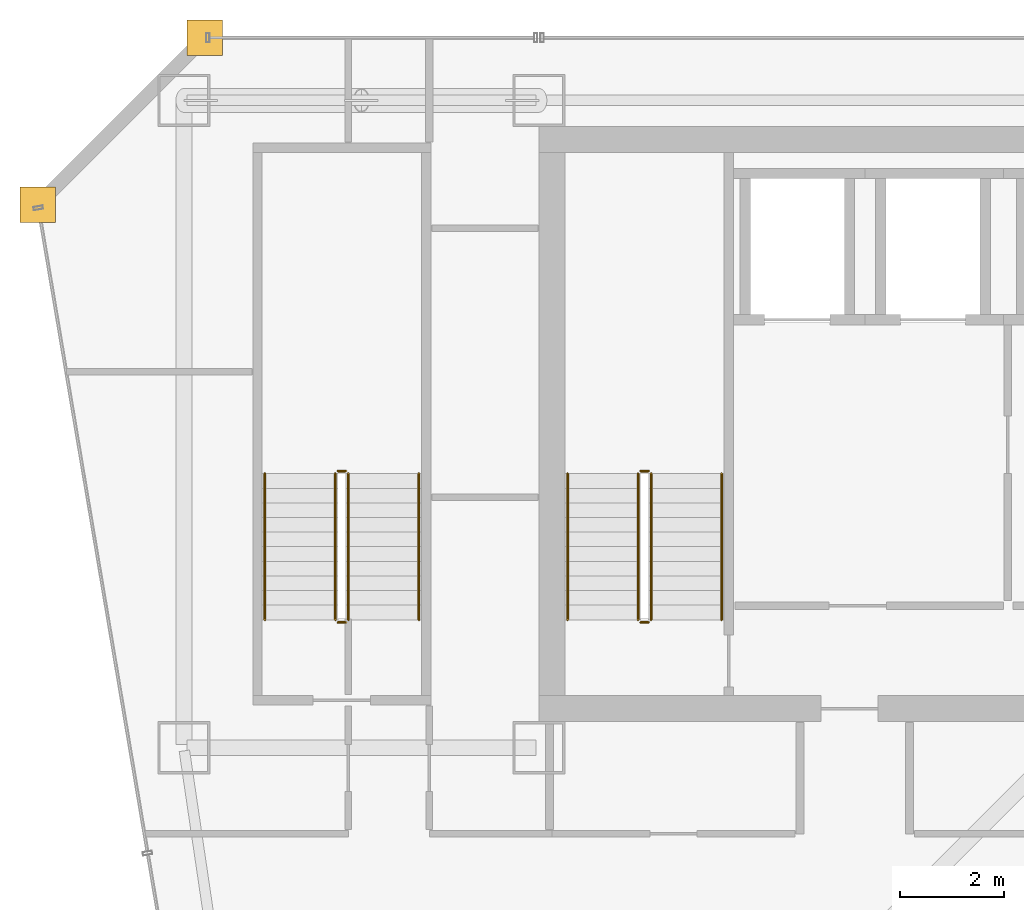
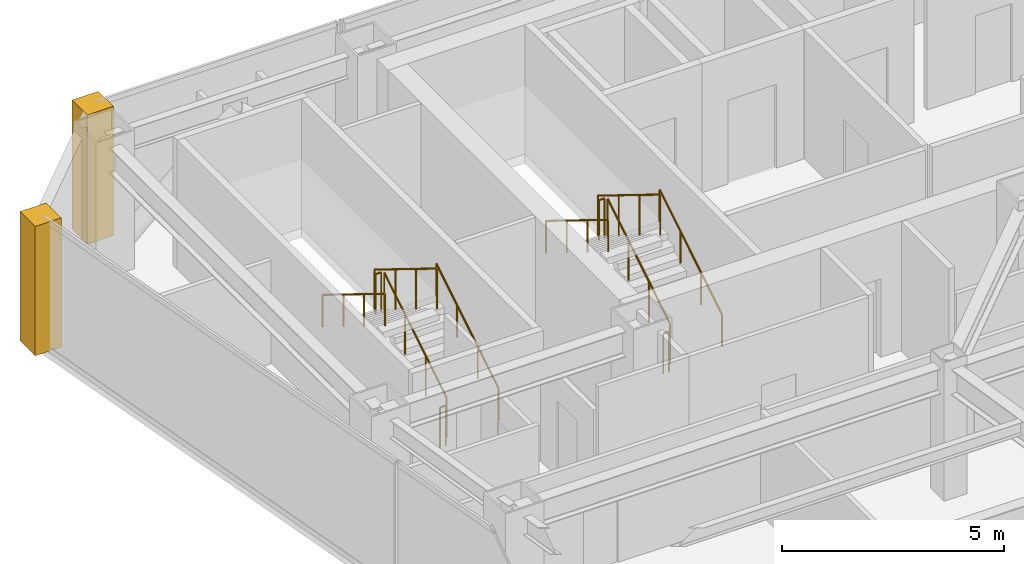
# One storey, part 35 of 36: 12 railings, 2 coverings.
"""IFC4 building model written with IfcOpenShell, lengths in metres."""

from ifc_helpers import new_model, si_unit, direction, frame, origin, origin_2d, place, context, subcontext, project, spatial, polyline, circle, outline, extrude, material, layer, layer_set, type_object, element, save


model = new_model("IFC4")

# Units and contexts
model_context = context("Model", 3, precision=1e-05, world=origin(), true_north=direction((0.0, 1.0)))
body_context = subcontext(model_context, "Body", "Model", "MODEL_VIEW")
ifc_project = project(units=[si_unit("LENGTHUNIT", "METRE"), si_unit("AREAUNIT", "SQUARE_METRE"), si_unit("VOLUMEUNIT", "CUBIC_METRE"), si_unit("PLANEANGLEUNIT", "RADIAN"), si_unit("MASSUNIT", "GRAM", prefix="KILO")], contexts=[model_context])

# Site, building, storey
site_placement = place(None, origin())
site = spatial("IfcSite", under=ifc_project, at=site_placement, CompositionType="ELEMENT")
building_placement = place(site_placement, origin())
building = spatial("IfcBuilding", under=site, at=building_placement, Name="Saevonmaru Cultural Tower", CompositionType="ELEMENT")
storey_placement = place(building_placement, frame((0.0, 0.0, 171.39990234375)))
storey = spatial("IfcBuildingStorey", under=building, at=storey_placement, Name="L38", CompositionType="ELEMENT", Elevation=171.39990234375)

# Coverings
ifc_material_1 = material(Name="Satin Bronze Anodised Aluminium", Category="aluminium")
ifc_layer = layer(ifc_material_1, 0.679931640625, Name="Satin Bronze Anodised Aluminium")
ifc_layer_set = layer_set([ifc_layer], Name="Satin Bronze Anodised Aluminium")
covering_type = type_object("IfcCoveringType", Name="CV-CORNER-CLAD", PredefinedType="CLADDING", material=ifc_layer_set)
covering_1_placement = place(storey_placement, origin())
element("IfcCovering", 1, at=covering_1_placement, inside=storey, type_object=covering_type, Name="L38 Tower Bronze Corner Cladding Pier 11", PredefinedType="CLADDING", context=body_context, shape_type="SweptSolid", body=[
    extrude(outline(polyline([(6.860107421875, 55.659912109375), (7.5400390625, 55.659912109375), (7.5400390625, 56.340087890625), (6.860107421875, 56.340087890625), (6.860107421875, 55.659912109375)])), origin(), (0.0, 0.0, 1.0), 3.550048828125),
])
covering_2_placement = place(storey_placement, origin())
element("IfcCovering", 2, at=covering_2_placement, inside=storey, type_object=covering_type, Name="L38 Tower Bronze Corner Cladding Pier 12", PredefinedType="CLADDING", context=body_context, shape_type="SweptSolid", body=[
    extrude(outline(polyline([(3.659912109375, 52.4599609375), (4.340087890625, 52.4599609375), (4.340087890625, 53.139892578125), (3.659912109375, 53.139892578125), (3.659912109375, 52.4599609375)])), origin(), (0.0, 0.0, 1.0), 3.550048828125),
])

# Railings
ifc_material_2 = material(Name="Architectural Painted Steel", Category="steel")
railing_type_1 = type_object("IfcRailingType", Name="RL-STAIR-GUARD", PredefinedType="GUARDRAIL", material=ifc_material_2)
railing_1_placement = place(storey_placement, frame((15.75, 44.85009765625, 0.1728515625)))
element("IfcRailing", 3, at=railing_1_placement, inside=storey, type_object=railing_type_1, Name="L38 ST-1 stair guard 1", PredefinedType="GUARDRAIL", context=body_context, shape_type="SweptSolid", body=[
    extrude(circle(Radius=0.02392578125, at=origin_2d()), frame((0.0, 0.0, 1.09619140625), z_axis=(0.0, 0.851069175582, 0.525053576669), x_axis=(-1.0, 0.0, 0.0)), (0.0, 0.0, 1.0), 3.289794921875),
    extrude(circle(Radius=0.02099609375, at=origin_2d()), origin(), (0.0, 0.0, 1.0), 1.072021484375),
    extrude(circle(Radius=0.02099609375, at=origin_2d()), frame((0.0, 0.933349609375, 0.57568359375)), (0.0, 0.0, 1.0), 1.072021484375),
    extrude(circle(Radius=0.02099609375, at=origin_2d()), frame((0.0, 1.866455078125, 1.151611328125)), (0.0, 0.0, 1.0), 1.072021484375),
    extrude(circle(Radius=0.02099609375, at=origin_2d()), frame((0.0, 2.7998046875, 1.727294921875)), (0.0, 0.0, 1.0), 1.072021484375),
])
railing_2_placement = place(storey_placement, frame((15.699951171875, 47.699951171875, 1.900146484375)))
element("IfcRailing", 4, at=railing_2_placement, inside=storey, type_object=railing_type_1, Name="L38 ST-1 stair guard 2", PredefinedType="GUARDRAIL", context=body_context, shape_type="SweptSolid", body=[
    extrude(circle(Radius=0.02392578125, at=origin_2d()), frame((0.0, 0.0, 1.09619140625), z_axis=(-1.0, 0.0, 0.0), x_axis=(0.0, -1.0, 0.0)), (0.0, 0.0, 1.0), 0.14990234375),
    extrude(circle(Radius=0.02099609375, at=origin_2d()), origin(), (0.0, 0.0, 1.0), 1.072021484375),
    extrude(circle(Radius=0.02099609375, at=origin_2d()), frame((-0.14990234375, 0.0, 0.0)), (0.0, 0.0, 1.0), 1.072021484375),
])
railing_3_placement = place(storey_placement, frame((15.5, 47.64990234375, 2.07275390625)))
element("IfcRailing", 5, at=railing_3_placement, inside=storey, type_object=railing_type_1, Name="L38 ST-1 stair guard 3", PredefinedType="GUARDRAIL", context=body_context, shape_type="SweptSolid", body=[
    extrude(circle(Radius=0.02392578125, at=origin_2d()), frame((0.0, 0.0, 1.09619140625), z_axis=(0.0, -0.851069175582, 0.525053576669), x_axis=(1.0, 0.0, 0.0)), (0.0, 0.0, 1.0), 3.289794921875),
    extrude(circle(Radius=0.02099609375, at=origin_2d()), origin(), (0.0, 0.0, 1.0), 1.072021484375),
    extrude(circle(Radius=0.02099609375, at=origin_2d()), frame((0.0, -0.933349609375, 0.57568359375)), (0.0, 0.0, 1.0), 1.072021484375),
    extrude(circle(Radius=0.02099609375, at=origin_2d()), frame((0.0, -1.866455078125, 1.151611328125)), (0.0, 0.0, 1.0), 1.072021484375),
    extrude(circle(Radius=0.02099609375, at=origin_2d()), frame((0.0, -2.7998046875, 1.727294921875)), (0.0, 0.0, 1.0), 1.072021484375),
])
railing_4_placement = place(storey_placement, frame((15.699951171875, 44.800048828125, 0.0)))
element("IfcRailing", 6, at=railing_4_placement, inside=storey, type_object=railing_type_1, Name="L38 ST-1 stair guard 4", PredefinedType="GUARDRAIL", context=body_context, shape_type="SweptSolid", body=[
    extrude(circle(Radius=0.02392578125, at=origin_2d()), frame((0.0, 0.0, 1.09619140625), z_axis=(-1.0, 0.0, 0.0), x_axis=(0.0, -1.0, 0.0)), (0.0, 0.0, 1.0), 0.14990234375),
    extrude(circle(Radius=0.02099609375, at=origin_2d()), origin(), (0.0, 0.0, 1.0), 1.072021484375),
    extrude(circle(Radius=0.02099609375, at=origin_2d()), frame((-0.14990234375, 0.0, 0.0)), (0.0, 0.0, 1.0), 1.072021484375),
])
railing_5_placement = place(storey_placement, frame((9.949951171875, 44.85009765625, 0.1728515625)))
element("IfcRailing", 7, at=railing_5_placement, inside=storey, type_object=railing_type_1, Name="L38 ST-3 stair guard 1", PredefinedType="GUARDRAIL", context=body_context, shape_type="SweptSolid", body=[
    extrude(circle(Radius=0.02392578125, at=origin_2d()), frame((0.0, 0.0, 1.09619140625), z_axis=(0.0, 0.851069175582, 0.525053576669), x_axis=(-1.0, 0.0, 0.0)), (0.0, 0.0, 1.0), 3.289794921875),
    extrude(circle(Radius=0.02099609375, at=origin_2d()), origin(), (0.0, 0.0, 1.0), 1.072021484375),
    extrude(circle(Radius=0.02099609375, at=origin_2d()), frame((0.0, 0.933349609375, 0.57568359375)), (0.0, 0.0, 1.0), 1.072021484375),
    extrude(circle(Radius=0.02099609375, at=origin_2d()), frame((0.0, 1.866455078125, 1.151611328125)), (0.0, 0.0, 1.0), 1.072021484375),
    extrude(circle(Radius=0.02099609375, at=origin_2d()), frame((0.0, 2.7998046875, 1.727294921875)), (0.0, 0.0, 1.0), 1.072021484375),
])
railing_6_placement = place(storey_placement, frame((9.89990234375, 47.699951171875, 1.900146484375)))
element("IfcRailing", 8, at=railing_6_placement, inside=storey, type_object=railing_type_1, Name="L38 ST-3 stair guard 2", PredefinedType="GUARDRAIL", context=body_context, shape_type="SweptSolid", body=[
    extrude(circle(Radius=0.02392578125, at=origin_2d()), frame((0.0, 0.0, 1.09619140625), z_axis=(-1.0, 0.0, 0.0), x_axis=(0.0, -1.0, 0.0)), (0.0, 0.0, 1.0), 0.14990234375),
    extrude(circle(Radius=0.02099609375, at=origin_2d()), origin(), (0.0, 0.0, 1.0), 1.072021484375),
    extrude(circle(Radius=0.02099609375, at=origin_2d()), frame((-0.14990234375, 0.0, 0.0)), (0.0, 0.0, 1.0), 1.072021484375),
])
railing_7_placement = place(storey_placement, frame((9.699951171875, 47.64990234375, 2.07275390625)))
element("IfcRailing", 9, at=railing_7_placement, inside=storey, type_object=railing_type_1, Name="L38 ST-3 stair guard 3", PredefinedType="GUARDRAIL", context=body_context, shape_type="SweptSolid", body=[
    extrude(circle(Radius=0.02392578125, at=origin_2d()), frame((0.0, 0.0, 1.09619140625), z_axis=(0.0, -0.851069175582, 0.525053576669), x_axis=(1.0, 0.0, 0.0)), (0.0, 0.0, 1.0), 3.289794921875),
    extrude(circle(Radius=0.02099609375, at=origin_2d()), origin(), (0.0, 0.0, 1.0), 1.072021484375),
    extrude(circle(Radius=0.02099609375, at=origin_2d()), frame((0.0, -0.933349609375, 0.57568359375)), (0.0, 0.0, 1.0), 1.072021484375),
    extrude(circle(Radius=0.02099609375, at=origin_2d()), frame((0.0, -1.866455078125, 1.151611328125)), (0.0, 0.0, 1.0), 1.072021484375),
    extrude(circle(Radius=0.02099609375, at=origin_2d()), frame((0.0, -2.7998046875, 1.727294921875)), (0.0, 0.0, 1.0), 1.072021484375),
])
railing_8_placement = place(storey_placement, frame((9.89990234375, 44.800048828125, 0.0)))
element("IfcRailing", 10, at=railing_8_placement, inside=storey, type_object=railing_type_1, Name="L38 ST-3 stair guard 4", PredefinedType="GUARDRAIL", context=body_context, shape_type="SweptSolid", body=[
    extrude(circle(Radius=0.02392578125, at=origin_2d()), frame((0.0, 0.0, 1.09619140625), z_axis=(-1.0, 0.0, 0.0), x_axis=(0.0, -1.0, 0.0)), (0.0, 0.0, 1.0), 0.14990234375),
    extrude(circle(Radius=0.02099609375, at=origin_2d()), origin(), (0.0, 0.0, 1.0), 1.072021484375),
    extrude(circle(Radius=0.02099609375, at=origin_2d()), frame((-0.14990234375, 0.0, 0.0)), (0.0, 0.0, 1.0), 1.072021484375),
])
railing_type_2 = type_object("IfcRailingType", Name="RL-STAIR-HANDRAIL", PredefinedType="HANDRAIL", material=ifc_material_1)
railing_9_placement = place(storey_placement, frame((17.10009765625, 44.85009765625, 0.1728515625)))
element("IfcRailing", 11, at=railing_9_placement, inside=storey, type_object=railing_type_2, Name="L38 ST-1 stair handrail 1", PredefinedType="HANDRAIL", context=body_context, shape_type="SweptSolid", body=[
    extrude(circle(Radius=0.02392578125, at=origin_2d()), frame((0.0, 0.0, 0.8759765625), z_axis=(0.0, 0.851069175582, 0.525053576669), x_axis=(-1.0, 0.0, 0.0)), (0.0, 0.0, 1.0), 3.289794921875),
    extrude(circle(Radius=0.02099609375, at=origin_2d()), origin(), (0.0, 0.0, 1.0), 0.851806640625),
    extrude(circle(Radius=0.02099609375, at=origin_2d()), frame((0.0, 0.933349609375, 0.57568359375)), (0.0, 0.0, 1.0), 0.851806640625),
    extrude(circle(Radius=0.02099609375, at=origin_2d()), frame((0.0, 1.866455078125, 1.151611328125)), (0.0, 0.0, 1.0), 0.851806640625),
    extrude(circle(Radius=0.02099609375, at=origin_2d()), frame((0.0, 2.7998046875, 1.727294921875)), (0.0, 0.0, 1.0), 0.851806640625),
])
railing_10_placement = place(storey_placement, frame((14.14990234375, 47.64990234375, 2.07275390625)))
element("IfcRailing", 12, at=railing_10_placement, inside=storey, type_object=railing_type_2, Name="L38 ST-1 stair handrail 2", PredefinedType="HANDRAIL", context=body_context, shape_type="SweptSolid", body=[
    extrude(circle(Radius=0.02392578125, at=origin_2d()), frame((0.0, 0.0, 0.8759765625), z_axis=(0.0, -0.851069175582, 0.525053576669), x_axis=(1.0, 0.0, 0.0)), (0.0, 0.0, 1.0), 3.289794921875),
    extrude(circle(Radius=0.02099609375, at=origin_2d()), origin(), (0.0, 0.0, 1.0), 0.851806640625),
    extrude(circle(Radius=0.02099609375, at=origin_2d()), frame((0.0, -0.933349609375, 0.57568359375)), (0.0, 0.0, 1.0), 0.851806640625),
    extrude(circle(Radius=0.02099609375, at=origin_2d()), frame((0.0, -1.866455078125, 1.151611328125)), (0.0, 0.0, 1.0), 0.851806640625),
    extrude(circle(Radius=0.02099609375, at=origin_2d()), frame((0.0, -2.7998046875, 1.727294921875)), (0.0, 0.0, 1.0), 0.851806640625),
])
railing_11_placement = place(storey_placement, frame((11.300048828125, 44.85009765625, 0.1728515625)))
element("IfcRailing", 13, at=railing_11_placement, inside=storey, type_object=railing_type_2, Name="L38 ST-3 stair handrail 1", PredefinedType="HANDRAIL", context=body_context, shape_type="SweptSolid", body=[
    extrude(circle(Radius=0.02392578125, at=origin_2d()), frame((0.0, 0.0, 0.8759765625), z_axis=(0.0, 0.851069175582, 0.525053576669), x_axis=(-1.0, 0.0, 0.0)), (0.0, 0.0, 1.0), 3.289794921875),
    extrude(circle(Radius=0.02099609375, at=origin_2d()), origin(), (0.0, 0.0, 1.0), 0.851806640625),
    extrude(circle(Radius=0.02099609375, at=origin_2d()), frame((0.0, 0.933349609375, 0.57568359375)), (0.0, 0.0, 1.0), 0.851806640625),
    extrude(circle(Radius=0.02099609375, at=origin_2d()), frame((0.0, 1.866455078125, 1.151611328125)), (0.0, 0.0, 1.0), 0.851806640625),
    extrude(circle(Radius=0.02099609375, at=origin_2d()), frame((0.0, 2.7998046875, 1.727294921875)), (0.0, 0.0, 1.0), 0.851806640625),
])
railing_12_placement = place(storey_placement, frame((8.35009765625, 47.64990234375, 2.07275390625)))
element("IfcRailing", 14, at=railing_12_placement, inside=storey, type_object=railing_type_2, Name="L38 ST-3 stair handrail 2", PredefinedType="HANDRAIL", context=body_context, shape_type="SweptSolid", body=[
    extrude(circle(Radius=0.02392578125, at=origin_2d()), frame((0.0, 0.0, 0.8759765625), z_axis=(0.0, -0.851069175582, 0.525053576669), x_axis=(1.0, 0.0, 0.0)), (0.0, 0.0, 1.0), 3.289794921875),
    extrude(circle(Radius=0.02099609375, at=origin_2d()), origin(), (0.0, 0.0, 1.0), 0.851806640625),
    extrude(circle(Radius=0.02099609375, at=origin_2d()), frame((0.0, -0.933349609375, 0.57568359375)), (0.0, 0.0, 1.0), 0.851806640625),
    extrude(circle(Radius=0.02099609375, at=origin_2d()), frame((0.0, -1.866455078125, 1.151611328125)), (0.0, 0.0, 1.0), 0.851806640625),
    extrude(circle(Radius=0.02099609375, at=origin_2d()), frame((0.0, -2.7998046875, 1.727294921875)), (0.0, 0.0, 1.0), 0.851806640625),
])

save(model, "model.ifc")
